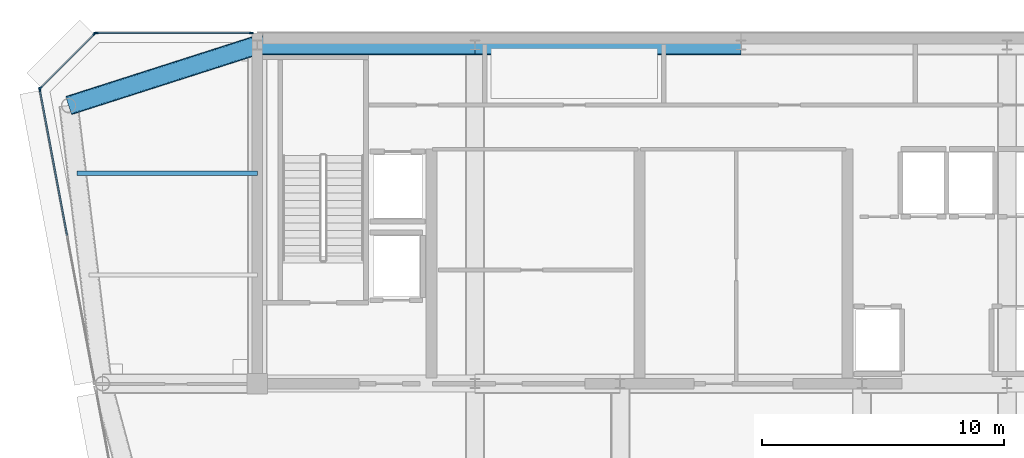
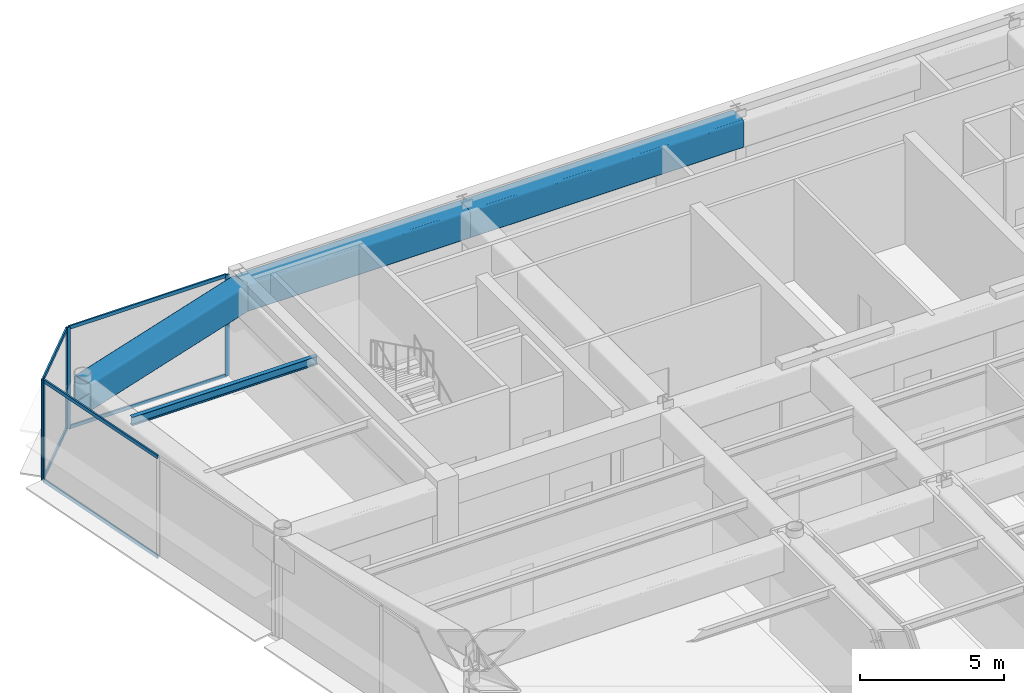
# One storey, part 8 of 20: 11 members, 4 beams, 3 elements without a shape of their own.
"""IFC4 building model written with IfcOpenShell, lengths in metres."""

from ifc_helpers import new_model, si_unit, direction, frame, origin, origin_2d, place, context, subcontext, project, spatial, rectangle, hollow_rectangle, i_section, extrude, source, transform, mapped, material, layer, layer_set, material_profile, profile_set, type_object, element, aggregate, save


model = new_model("IFC4")

# Units and contexts
model_context = context("Model", 3, precision=1e-05, world=origin(), true_north=direction((0.0, 1.0)))
body_context = subcontext(model_context, "Body", "Model", "MODEL_VIEW")
ifc_project = project(units=[si_unit("LENGTHUNIT", "METRE"), si_unit("AREAUNIT", "SQUARE_METRE"), si_unit("VOLUMEUNIT", "CUBIC_METRE"), si_unit("PLANEANGLEUNIT", "RADIAN"), si_unit("MASSUNIT", "GRAM", prefix="KILO")], contexts=[model_context])

# Site, building, storey
site_placement = place(None, origin())
site = spatial("IfcSite", under=ifc_project, at=site_placement, CompositionType="ELEMENT")
building_placement = place(site_placement, origin())
building = spatial("IfcBuilding", under=site, at=building_placement, Name="Vaeldorn Concourse Tower", CompositionType="ELEMENT")
storey_placement = place(building_placement, frame((0.0, 0.0, 299.199951171875)))
storey = spatial("IfcBuildingStorey", under=building, at=storey_placement, Name="L77", CompositionType="ELEMENT", Elevation=299.199951171875)

# Beams
ifc_material_1 = material(Name="Steel S460", Category="steel")
ifc_material_profile_1 = material_profile(ifc_material_1, hollow_rectangle(XDim=0.800048828125, YDim=1.199951171875, WallThickness=0.044921875, InnerFilletRadius=0.044921875, OuterFilletRadius=0.090087890625, at=origin_2d()), Name="RHS 1200x800x45")
ifc_profile_set_1 = profile_set([ifc_material_profile_1], Name="Steel S460")
beam_type_1 = type_object("IfcBeamType", Name="BM-TG-RHS1200", PredefinedType="BEAM", material=ifc_profile_set_1)
shared_shape_1 = source(origin(), body_context, "Body", "SweptSolid", [
    extrude(hollow_rectangle(XDim=0.800048828125, YDim=1.199951171875, WallThickness=0.044921875, InnerFilletRadius=0.044921875, OuterFilletRadius=0.090087890625, at=origin_2d()), origin(), (0.0, 0.0, 1.0), 9.0),
])
beam_1_placement = place(storey_placement, frame((14.0, 50.5, 3.699951171875), z_axis=(1.0, 0.0, 0.0), x_axis=(0.0, 1.0, 0.0)))
element("IfcBeam", 1, at=beam_1_placement, inside=storey, type_object=beam_type_1, Name="Beam BM-L77-C-HC1-C-HC2", PredefinedType="BEAM", context=body_context, shape_type="MappedRepresentation", body=[
    mapped(shared_shape_1, transform((0.0, 0.0, 0.0), scale=1.0)),
])
shared_shape_2 = source(origin(), body_context, "Body", "SweptSolid", [
    extrude(hollow_rectangle(XDim=0.800048828125, YDim=1.199951171875, WallThickness=0.044921875, InnerFilletRadius=0.044921875, OuterFilletRadius=0.090087890625, at=origin_2d()), origin(), (0.0, 0.0, 1.0), 11.0),
])
beam_2_placement = place(storey_placement, frame((23.0, 50.5, 3.699951171875), z_axis=(1.0, 0.0, 0.0), x_axis=(0.0, 1.0, 0.0)))
element("IfcBeam", 2, at=beam_2_placement, inside=storey, type_object=beam_type_1, Name="Beam BM-L77-C-HC2-C-HC3", PredefinedType="BEAM", context=body_context, shape_type="MappedRepresentation", body=[
    mapped(shared_shape_2, transform((0.0, 0.0, 0.0), scale=1.0)),
])
shared_shape_3 = source(origin(), body_context, "Body", "SweptSolid", [
    extrude(hollow_rectangle(XDim=0.800048828125, YDim=1.199951171875, WallThickness=0.044921875, InnerFilletRadius=0.044921875, OuterFilletRadius=0.090087890625, at=origin_2d()), origin(), (0.0, 0.0, 1.0), 8.19091796875),
])
beam_3_placement = place(storey_placement, frame((6.199951171875, 48.0, 3.699951171875), z_axis=(0.952282843383, 0.305216949396, 0.0), x_axis=(-0.305216949396, 0.952282843383, 0.0)))
element("IfcBeam", 3, at=beam_3_placement, inside=storey, type_object=beam_type_1, Name="Beam BM-L77-C-NW1-C-HC1", PredefinedType="BEAM", context=body_context, shape_type="MappedRepresentation", body=[
    mapped(shared_shape_3, transform((0.0, 0.0, 0.0), scale=1.0)),
])
ifc_material_2 = material(Name="Steel S355", Category="steel")
ifc_material_profile_2 = material_profile(ifc_material_2, i_section(OverallWidth=0.169921875, OverallDepth=0.360107421875, WebThickness=0.008056640625, FlangeThickness=0.0126953125, FilletRadius=0.01806640625, at=origin_2d()), Name="IPE 360")
ifc_profile_set_2 = profile_set([ifc_material_profile_2], Name="Steel S355")
beam_type_2 = type_object("IfcBeamType", Name="BM-JS-IPE360", PredefinedType="JOIST", material=ifc_profile_set_2)
shared_shape_4 = source(origin(), body_context, "Body", "SweptSolid", [
    extrude(i_section(OverallWidth=0.169921875, OverallDepth=0.360107421875, WebThickness=0.008056640625, FlangeThickness=0.0126953125, FilletRadius=0.01806640625, at=origin_2d()), origin(), (0.0, 0.0, 1.0), 7.458984375),
])
beam_4_placement = place(storey_placement, frame((6.541015625, 45.199951171875, 4.1201171875), z_axis=(1.0, 0.0, 0.0), x_axis=(0.0, 1.0, 0.0)))
element("IfcBeam", 4, at=beam_4_placement, inside=storey, type_object=beam_type_2, Name="Beam JS-L77-NW-452", PredefinedType="JOIST", context=body_context, shape_type="MappedRepresentation", body=[
    mapped(shared_shape_4, transform((0.0, 0.0, 0.0), scale=1.0)),
])

# Curtain wall, members
ifc_material_3 = material(Name="Anodised Bronze Aluminium", Category="aluminium")
ifc_layer = layer(ifc_material_3, 0.179931640625)
ifc_layer_set = layer_set([ifc_layer], Name="Anodised Bronze Aluminium")
curtain_wall_type = type_object("IfcCurtainWallType", Name="CW-SYS-05", PredefinedType="NOTDEFINED", material=ifc_layer_set)
curtain_wall_1_placement = place(storey_placement, origin())
curtain_wall_1 = element("IfcCurtainWall", 5, at=curtain_wall_1_placement, inside=storey, type_object=curtain_wall_type, Name="Unitised Curtain Wall CW-L77-E10-1", PredefinedType="NOTDEFINED")
ifc_material_profile_3 = material_profile(ifc_material_3, rectangle(XDim=0.06494140625, YDim=0.14990234375, at=origin_2d()), Name="CWT 65x150")
ifc_profile_set_3 = profile_set([ifc_material_profile_3], Name="Anodised Bronze Aluminium")
member_type_1 = type_object("IfcMemberType", Name="CWT-BRONZE-150", PredefinedType="USERDEFINED", material=ifc_profile_set_3)
shared_shape_5 = source(origin(), body_context, "Body", "SweptSolid", [
    extrude(rectangle(XDim=0.06494140625, YDim=0.14990234375, at=origin_2d()), origin(), (0.0, 0.0, 1.0), 3.123046875),
])
member_1_placement = place(storey_placement, frame((7.254150390625, 50.9541015625, 0.032470703125), z_axis=(-0.707106781187, -0.707106781187, 0.0), x_axis=(0.707106781187, -0.707106781187, 0.0)))
member_1 = element("IfcMember", 6, at=member_1_placement, type_object=member_type_1, Name="CW-05 transom 1.1", ObjectType="TRANSOM", PredefinedType="USERDEFINED", context=body_context, shape_type="MappedRepresentation", body=[
    mapped(shared_shape_5, transform((0.0, 0.0, 0.0), scale=1.0)),
])
member_2_placement = place(storey_placement, frame((7.254150390625, 50.9541015625, 4.267578125), z_axis=(-0.707106781187, -0.707106781187, 0.0), x_axis=(0.707106781187, -0.707106781187, 0.0)))
member_2 = element("IfcMember", 7, at=member_2_placement, type_object=member_type_1, Name="CW-05 transom 1.2", ObjectType="TRANSOM", PredefinedType="USERDEFINED", context=body_context, shape_type="MappedRepresentation", body=[
    mapped(shared_shape_5, transform((0.0, 0.0, 0.0), scale=1.0)),
])

curtain_wall_2_placement = place(storey_placement, origin())
curtain_wall_2 = element("IfcCurtainWall", 8, at=curtain_wall_2_placement, inside=storey, type_object=curtain_wall_type, Name="Unitised Curtain Wall CW-L77-E09-2", PredefinedType="NOTDEFINED")
shared_shape_6 = source(origin(), body_context, "Body", "SweptSolid", [
    extrude(rectangle(XDim=0.06494140625, YDim=0.14990234375, at=origin_2d()), origin(), (0.0, 0.0, 1.0), 6.35009765625),
])
member_3_placement = place(storey_placement, frame((13.715087890625, 51.0, 0.032470703125), z_axis=(-1.0, 0.0, 0.0), x_axis=(0.0, -1.0, 0.0)))
member_3 = element("IfcMember", 9, at=member_3_placement, type_object=member_type_1, Name="CW-05 transom 1.1", ObjectType="TRANSOM", PredefinedType="USERDEFINED", context=body_context, shape_type="MappedRepresentation", body=[
    mapped(shared_shape_6, transform((0.0, 0.0, 0.0), scale=1.0)),
])
member_4_placement = place(storey_placement, frame((13.715087890625, 51.0, 4.267578125), z_axis=(-1.0, 0.0, 0.0), x_axis=(0.0, -1.0, 0.0)))
member_4 = element("IfcMember", 10, at=member_4_placement, type_object=member_type_1, Name="CW-05 transom 1.2", ObjectType="TRANSOM", PredefinedType="USERDEFINED", context=body_context, shape_type="MappedRepresentation", body=[
    mapped(shared_shape_6, transform((0.0, 0.0, 0.0), scale=1.0)),
])

curtain_wall_3_placement = place(storey_placement, origin())
curtain_wall_3 = element("IfcCurtainWall", 11, at=curtain_wall_3_placement, inside=storey, type_object=curtain_wall_type, Name="Unitised Curtain Wall CW-L77-E11-1", PredefinedType="NOTDEFINED")
shared_shape_7 = source(origin(), body_context, "Body", "SweptSolid", [
    extrude(rectangle(XDim=0.06494140625, YDim=0.14990234375, at=origin_2d()), origin(), (0.0, 0.0, 1.0), 6.103515625),
])
member_5_placement = place(storey_placement, frame((5.011962890625, 48.63623046875, 0.032470703125), z_axis=(0.18424023288, -0.982881242363, 0.0), x_axis=(0.982881242363, 0.18424023288, 0.0)))
member_5 = element("IfcMember", 12, at=member_5_placement, type_object=member_type_1, Name="CW-05 transom 1.1", ObjectType="TRANSOM", PredefinedType="USERDEFINED", context=body_context, shape_type="MappedRepresentation", body=[
    mapped(shared_shape_7, transform((0.0, 0.0, 0.0), scale=1.0)),
])
member_6_placement = place(storey_placement, frame((5.011962890625, 48.63623046875, 4.267578125), z_axis=(0.18424023288, -0.982881242363, 0.0), x_axis=(0.982881242363, 0.18424023288, 0.0)))
member_6 = element("IfcMember", 13, at=member_6_placement, type_object=member_type_1, Name="CW-05 transom 1.2", ObjectType="TRANSOM", PredefinedType="USERDEFINED", context=body_context, shape_type="MappedRepresentation", body=[
    mapped(shared_shape_7, transform((0.0, 0.0, 0.0), scale=1.0)),
])

# Member
ifc_material_profile_4 = material_profile(ifc_material_3, rectangle(XDim=0.06494140625, YDim=0.169921875, at=origin_2d()), Name="CWM 65x170")
ifc_profile_set_4 = profile_set([ifc_material_profile_4], Name="Anodised Bronze Aluminium")
member_type_2 = type_object("IfcMemberType", Name="CWM-BRONZE-170", PredefinedType="MULLION", material=ifc_profile_set_4)
shared_shape_8 = source(origin(), body_context, "Body", "SweptSolid", [
    extrude(rectangle(XDim=0.06494140625, YDim=0.169921875, at=origin_2d()), origin(), (0.0, 0.0, 1.0), 4.300048828125),
])
member_7_placement = place(storey_placement, frame((13.74755859375, 51.0, 0.0), z_axis=(0.0, 0.0, 1.0), x_axis=(0.0, -1.0, 0.0)))
member_7 = element("IfcMember", 14, at=member_7_placement, type_object=member_type_2, Name="CW-05 mullion 1", PredefinedType="MULLION", context=body_context, shape_type="MappedRepresentation", body=[
    mapped(shared_shape_8, transform((0.0, 0.0, 0.0), scale=1.0)),
])

member_8_placement = place(storey_placement, frame((7.33251953125, 51.0, 0.0), z_axis=(0.0, 0.0, 1.0), x_axis=(0.0, -1.0, 0.0)))
member_8 = element("IfcMember", 15, at=member_8_placement, type_object=member_type_2, Name="CW-05 mullion 2", PredefinedType="MULLION", context=body_context, shape_type="MappedRepresentation", body=[
    mapped(shared_shape_8, transform((0.0, 0.0, 0.0), scale=1.0)),
])

aggregate(curtain_wall_2, [member_7, member_8, member_3, member_4])

member_9_placement = place(storey_placement, frame((7.277099609375, 50.97705078125, 0.0), z_axis=(0.0, 0.0, 1.0), x_axis=(0.707106781187, -0.707106781187, 0.0)))
member_9 = element("IfcMember", 16, at=member_9_placement, type_object=member_type_2, Name="CW-05 mullion 1", PredefinedType="MULLION", context=body_context, shape_type="MappedRepresentation", body=[
    mapped(shared_shape_8, transform((0.0, 0.0, 0.0), scale=1.0)),
])

member_10_placement = place(storey_placement, frame((5.02294921875, 48.722900390625, 0.0), z_axis=(0.0, 0.0, 1.0), x_axis=(0.707106781187, -0.707106781187, 0.0)))
member_10 = element("IfcMember", 17, at=member_10_placement, type_object=member_type_2, Name="CW-05 mullion 2", PredefinedType="MULLION", context=body_context, shape_type="MappedRepresentation", body=[
    mapped(shared_shape_8, transform((0.0, 0.0, 0.0), scale=1.0)),
])

aggregate(curtain_wall_1, [member_9, member_10, member_1, member_2])

member_11_placement = place(storey_placement, frame((5.006103515625, 48.66796875, 0.0), z_axis=(0.0, 0.0, 1.0), x_axis=(0.982880218842, 0.184245693053, 0.0)))
member_11 = element("IfcMember", 18, at=member_11_placement, type_object=member_type_2, Name="CW-05 mullion 1", PredefinedType="MULLION", context=body_context, shape_type="MappedRepresentation", body=[
    mapped(shared_shape_8, transform((0.0, 0.0, 0.0), scale=1.0)),
])

aggregate(curtain_wall_3, [member_11, member_5, member_6])

save(model, "model.ifc")
